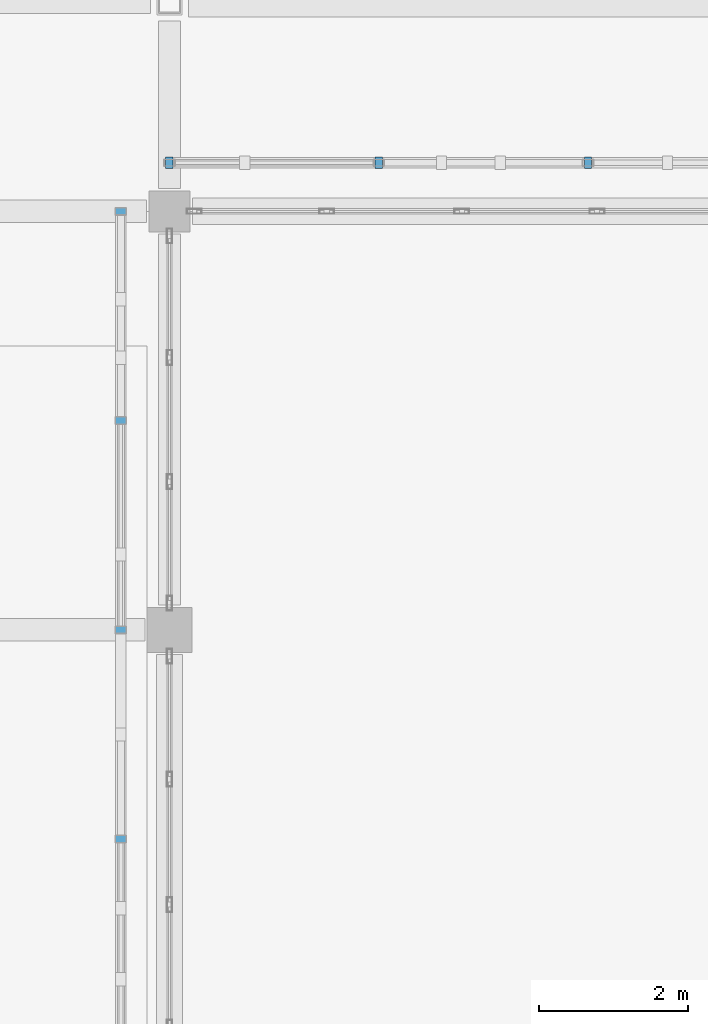
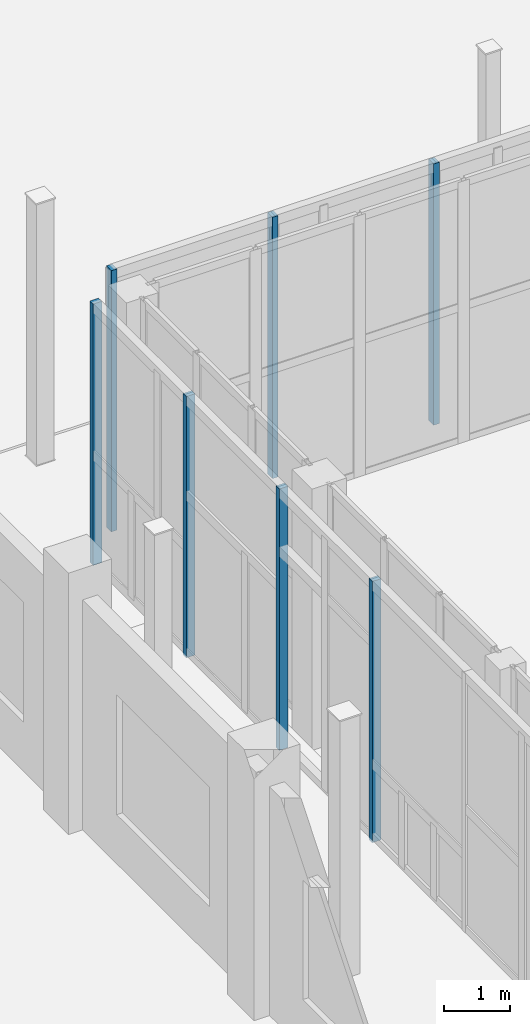
# One storey, part 81 of 91: 7 discrete accessories.
"""IFC4 building model written with IfcOpenShell, lengths in metres."""

from ifc_helpers import new_model, si_unit, direction, frame, origin, origin_2d, place, context, subcontext, project, spatial, rectangle, extrude, material, type_object, element, save


model = new_model("IFC4")

# Units and contexts
model_context = context("Model", 3, precision=1e-05, world=origin(), true_north=direction((0.0, 1.0)))
body_context = subcontext(model_context, "Body", "Model", "MODEL_VIEW")
ifc_project = project(units=[si_unit("LENGTHUNIT", "METRE"), si_unit("AREAUNIT", "SQUARE_METRE"), si_unit("VOLUMEUNIT", "CUBIC_METRE"), si_unit("PLANEANGLEUNIT", "RADIAN"), si_unit("MASSUNIT", "GRAM", prefix="KILO")], contexts=[model_context])

# Site, building, storey
site_placement = place(None, origin())
site = spatial("IfcSite", under=ifc_project, at=site_placement, CompositionType="ELEMENT")
building_placement = place(site_placement, origin())
building = spatial("IfcBuilding", under=site, at=building_placement, Name="Vinh Khe Railworks Police Headquarters", CompositionType="ELEMENT")
storey_placement = place(building_placement, origin())
storey = spatial("IfcBuildingStorey", under=building, at=storey_placement, Name="L00", CompositionType="ELEMENT", Elevation=0.0)

# Discrete accessories
ifc_material = material(Name="Steel S355JR", Category="steel")
discrete_accessory_type = type_object("IfcDiscreteAccessoryType", Name="SCR-MULL-RHS150", PredefinedType="BRACKET", material=ifc_material)
for number, where, z_axis, x_axis, name in (
    (1, (26.39990234375, 59.449951171875, 0.0), (0.0, 0.0, 1.0), (1.0, 0.0, 0.0), "Patchwork Screen Vertical Support Channel N-1 L00"),
    (2, (29.199951171875, 59.449951171875, 0.0), (0.0, 0.0, 1.0), (1.0, 0.0, 0.0), "Patchwork Screen Vertical Support Channel N-2 L00"),
    (3, (32.0, 59.449951171875, 0.0), (0.0, 0.0, 1.0), (1.0, 0.0, 0.0), "Patchwork Screen Vertical Support Channel N-3 L00"),
):
    element("IfcDiscreteAccessory", number, at=place(storey_placement, frame(where, z_axis=z_axis, x_axis=x_axis)), inside=storey, type_object=discrete_accessory_type, Name=name, PredefinedType="BRACKET", context=body_context, shape_type="SweptSolid", body=[
        extrude(rectangle(XDim=0.10009765625, YDim=0.14990234375, at=origin_2d()), origin(), (0.0, 0.0, 1.0), 4.800048828125),
    ])
for number, where, z_axis, x_axis, name in (
    (4, (25.75, 50.39990234375, 0.0), (0.0, 0.0, 1.0), (1.0, 0.0, 0.0), "Patchwork Screen Vertical Support Channel W-10 L00"),
    (5, (25.75, 53.199951171875, 0.0), (0.0, 0.0, 1.0), (1.0, 0.0, 0.0), "Patchwork Screen Vertical Support Channel W-11 L00"),
    (6, (25.75, 56.0, 0.0), (0.0, 0.0, 1.0), (1.0, 0.0, 0.0), "Patchwork Screen Vertical Support Channel W-12 L00"),
    (7, (25.75, 58.800048828125, 0.0), (0.0, 0.0, 1.0), (1.0, 0.0, 0.0), "Patchwork Screen Vertical Support Channel W-13 L00"),
):
    element("IfcDiscreteAccessory", number, at=place(storey_placement, frame(where, z_axis=z_axis, x_axis=x_axis)), inside=storey, type_object=discrete_accessory_type, Name=name, PredefinedType="BRACKET", context=body_context, shape_type="SweptSolid", body=[
        extrude(rectangle(XDim=0.14990234375, YDim=0.10009765625, at=origin_2d()), origin(), (0.0, 0.0, 1.0), 4.800048828125),
    ])

save(model, "model.ifc")
